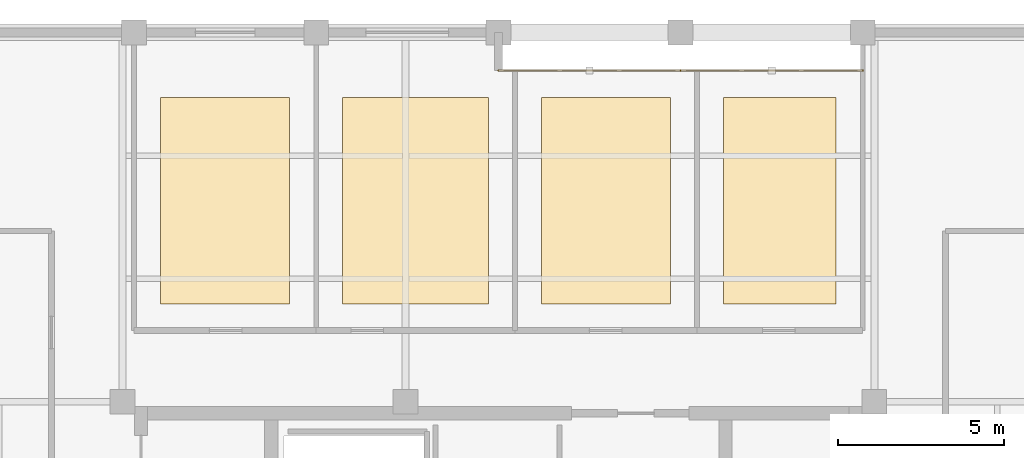
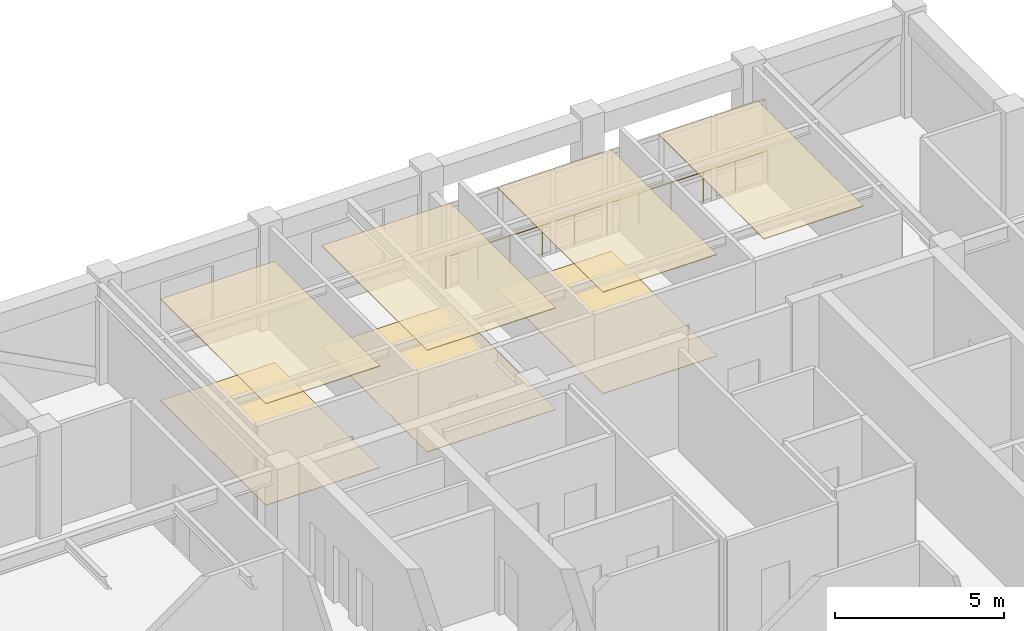
# One storey, part 9 of 9: 7 coverings, 2 railings.
"""IFC4 building model written with IfcOpenShell, lengths in metres."""

import ifcopenshell
import ifcopenshell.guid

model = None  # the IFC model being written
_history = None  # IfcOwnerHistory: only IFC2X3 demands one
_inside = {}  # id of a spatial element -> (the spatial element, [elements in it])
_under = {}  # id of a project, library or spatial element -> (it, [spatial elements below it])
_declared = {}  # id of a project -> (the project, [libraries it declares])
_typed = {}  # id of a type object -> (the type object, [elements of that type])
_made_of = {}  # id of a material, layer set ... -> (it, [elements and type objects made of it])


def new_model(schema):
    """Start an empty IFC model of exactly this schema.

    Asked for "IFC4X3", IfcOpenShell would pick the latest addendum, in which some entities
    have other attributes; the version numbers below select the first issue.
    IFC2X3 requires an IfcOwnerHistory on every rooted entity: one is made here for all.
    """
    global model, _history
    if schema == "IFC4X3":
        model = ifcopenshell.file(schema_version=(4, 3, 0, 0))
    else:
        model = ifcopenshell.file(schema=schema)
    _inside.clear()
    _under.clear()
    _declared.clear()
    _typed.clear()
    _made_of.clear()
    _history = None
    if model.schema == "IFC2X3":
        org = make("IfcOrganization", Name="unknown")
        user = make(
            "IfcPersonAndOrganization",
            ThePerson=make("IfcPerson", FamilyName="unknown"),
            TheOrganization=org,
        )
        app = make(
            "IfcApplication",
            ApplicationDeveloper=org,
            Version="unknown",
            ApplicationFullName="unknown",
            ApplicationIdentifier="unknown",
        )
        _history = make(
            "IfcOwnerHistory",
            OwningUser=user,
            OwningApplication=app,
            ChangeAction="ADDED",
            CreationDate=0,
        )
    return model


def make(cls, **values):
    """One entity of the class cls with the attributes given. An attribute that is None is left unset."""
    return model.create_entity(
        cls, **{name: value for name, value in values.items() if value is not None}
    )


def rooted(cls, **values):
    """An entity with a GlobalId (a new one), such as an element, a storey or a relation."""
    return make(cls, GlobalId=ifcopenshell.guid.new(), OwnerHistory=_history, **values)


def si_unit(unit_type, name, prefix=None):
    """IfcSIUnit, for example si_unit("LENGTHUNIT", "METRE", prefix="MILLI")."""
    return make("IfcSIUnit", UnitType=unit_type, Prefix=prefix, Name=name)


def assignment(units):
    """IfcUnitAssignment: the units of a project."""
    return None if units is None else make("IfcUnitAssignment", Units=units)


def point(xyz):
    """IfcCartesianPoint."""
    return None if xyz is None else make("IfcCartesianPoint", Coordinates=xyz)


def direction(xyz):
    """IfcDirection."""
    return None if xyz is None else make("IfcDirection", DirectionRatios=xyz)


def frame(location, z_axis=None, x_axis=None):
    """IfcAxis2Placement3D, a coordinate frame: its origin and axes. An axis left out is left unset."""
    return make(
        "IfcAxis2Placement3D",
        Location=point(location),
        Axis=direction(z_axis),
        RefDirection=direction(x_axis),
    )


def frame_2d(location, x_axis=None):
    """IfcAxis2Placement2D, a coordinate frame in the plane: its origin and x axis."""
    return make(
        "IfcAxis2Placement2D", Location=point(location), RefDirection=direction(x_axis)
    )


def origin():
    """The frame at (0, 0, 0) with its axes left unset."""
    return frame((0.0, 0.0, 0.0))


def origin_2d():
    """The frame at (0, 0) in the plane with its x axis left unset."""
    return frame_2d((0.0, 0.0))


def place(relative_to, where):
    """IfcLocalPlacement: puts the frame where relative to a parent placement (None: the world)."""
    return make(
        "IfcLocalPlacement", PlacementRelTo=relative_to, RelativePlacement=where
    )


def context(
    kind, dimensions, precision=None, world=None, true_north=None, identifier=None
):
    """IfcGeometricRepresentationContext, for example the 3D "Model" context."""
    return make(
        "IfcGeometricRepresentationContext",
        ContextIdentifier=identifier,
        ContextType=kind,
        CoordinateSpaceDimension=dimensions,
        Precision=precision,
        WorldCoordinateSystem=world,
        TrueNorth=true_north,
    )


def subcontext(parent, identifier, kind, view, scale=None):
    """IfcGeometricRepresentationSubContext, for example "Body" below "Model"."""
    return make(
        "IfcGeometricRepresentationSubContext",
        ContextIdentifier=identifier,
        ContextType=kind,
        ParentContext=parent,
        TargetScale=scale,
        TargetView=view,
    )


def project(units=None, contexts=None):
    """IfcProject with its units and contexts."""
    return rooted(
        "IfcProject",
        Name="project",
        RepresentationContexts=contexts,
        UnitsInContext=assignment(units),
    )


def spatial(cls, under=None, at=None, **own):
    """A site, building, storey or space (cls), placed at a placement, below another one or the project."""
    s = rooted(cls, ObjectPlacement=at, **own)
    if under is not None:
        _under.setdefault(under.id(), (under, []))[1].append(s)
    return s


def polyline(points):
    """IfcPolyline through the points."""
    return make("IfcPolyline", Points=[point(p) for p in points])


def profile(cls, at=None, kind="AREA", **sizes):
    """A parametric profile (cls). Its sizes go by their IFC names, for example OverallWidth=200.0."""
    return make(cls, ProfileType=kind, Position=at, **sizes)


def circle(**sizes):
    """IfcCircleProfileDef."""
    return profile("IfcCircleProfileDef", **sizes)


def outline(outer, holes=None, kind="AREA"):
    """IfcArbitraryClosedProfileDef: a profile drawn as a closed curve; with holes, ...WithVoids."""
    if holes is None:
        return make("IfcArbitraryClosedProfileDef", ProfileType=kind, OuterCurve=outer)
    return make(
        "IfcArbitraryProfileDefWithVoids",
        ProfileType=kind,
        OuterCurve=outer,
        InnerCurves=holes,
    )


def extrude(swept, where, along, depth):
    """IfcExtrudedAreaSolid: the profile swept, set in the frame where, extruded along a direction by depth."""
    return make(
        "IfcExtrudedAreaSolid",
        SweptArea=swept,
        Position=where,
        ExtrudedDirection=direction(along),
        Depth=depth,
    )


def shape(context_of_items, identifier, shape_type, items):
    """IfcShapeRepresentation: the items that make up one representation, for example the "Body"."""
    return make(
        "IfcShapeRepresentation",
        ContextOfItems=context_of_items,
        RepresentationIdentifier=identifier,
        RepresentationType=shape_type,
        Items=items,
    )


def material(Name=None, Category=None):
    """IfcMaterial."""
    return make("IfcMaterial", Name=Name, Category=Category)


def layer(
    of_material, thickness, ventilated=None, Name=None, Category=None, Priority=None
):
    """IfcMaterialLayer: one layer of a wall or slab, of a material (None: an air gap)."""
    return make(
        "IfcMaterialLayer",
        Material=of_material,
        LayerThickness=thickness,
        IsVentilated=ventilated,
        Name=Name,
        Category=Category,
        Priority=Priority,
    )


def layer_set(layers, Name=None):
    """IfcMaterialLayerSet."""
    return make("IfcMaterialLayerSet", MaterialLayers=layers, LayerSetName=Name)


def made_of(thing, what):
    """Note that an element or type object is made of a material, layer set ...; save() writes the relation."""
    if what is not None:
        _made_of.setdefault(what.id(), (what, []))[1].append(thing)
    return thing


def type_object(cls, material=None, **own):
    """A type object (cls), such as IfcWallType, which elements share."""
    return made_of(rooted(cls, **own), material)


def element(
    cls,
    number,
    at=None,
    inside=None,
    cuts=None,
    type_object=None,
    material=None,
    context=None,
    identifier="Body",
    shape_type=None,
    held_by="IfcProductDefinitionShape",
    body=None,
    shapes=None,
    **own,
):
    """One element of the class cls, such as IfcWall. Its Tag is "e" and its number.

    at: its placement. inside: the storey or other place that contains it. cuts: it is an
    opening in that element (IfcRelVoidsElement). A single representation is given by context,
    identifier, shape_type and body (its items); several are given by shapes. held_by: the class
    of the entity that holds the representations. save() writes the other relations.
    """
    e = rooted(cls, Tag="e%d" % number, ObjectPlacement=at, **own)
    if body is not None:
        shapes = [shape(context, identifier, shape_type, body)]
    if shapes is not None:
        e.Representation = make(held_by, Representations=shapes)
    if inside is not None:
        _inside.setdefault(inside.id(), (inside, []))[1].append(e)
    if cuts is not None:
        rooted(
            "IfcRelVoidsElement", RelatingBuildingElement=cuts, RelatedOpeningElement=e
        )
    if type_object is not None:
        _typed.setdefault(type_object.id(), (type_object, []))[1].append(e)
    return made_of(e, material)


def aggregate(whole, parts):
    """IfcRelAggregates: a whole, such as a stair, and the parts it consists of."""
    return rooted("IfcRelAggregates", RelatingObject=whole, RelatedObjects=parts)


def save(model, path):
    """Write the relations noted so far, then the file.

    IfcRelAggregates (storeys below a building ...), IfcRelContainedInSpatialStructure (elements
    in a storey), IfcRelDefinesByType, IfcRelAssociatesMaterial and IfcRelDeclares: one each for
    every whole, place, type object, material and project.
    """
    for whole, parts in _under.values():
        aggregate(whole, parts)
    for where, things in _inside.values():
        rooted(
            "IfcRelContainedInSpatialStructure",
            RelatedElements=things,
            RelatingStructure=where,
        )
    for kind, things in _typed.values():
        rooted("IfcRelDefinesByType", RelatedObjects=things, RelatingType=kind)
    for what, things in _made_of.values():
        rooted("IfcRelAssociatesMaterial", RelatedObjects=things, RelatingMaterial=what)
    for by, libraries in _declared.values():
        rooted("IfcRelDeclares", RelatingContext=by, RelatedDefinitions=libraries)
    model.write(path)


model = new_model("IFC4")

# Units and contexts
model_context = context("Model", 3, precision=1e-05, world=origin(), true_north=direction((0.0, 1.0)))
body_context = subcontext(model_context, "Body", "Model", "MODEL_VIEW")
ifc_project = project(units=[si_unit("LENGTHUNIT", "METRE"), si_unit("AREAUNIT", "SQUARE_METRE"), si_unit("VOLUMEUNIT", "CUBIC_METRE"), si_unit("PLANEANGLEUNIT", "RADIAN"), si_unit("MASSUNIT", "GRAM", prefix="KILO")], contexts=[model_context])

# Site, building, storey
site_placement = place(None, origin())
site = spatial("IfcSite", under=ifc_project, at=site_placement, CompositionType="ELEMENT")
building_placement = place(site_placement, origin())
building = spatial("IfcBuilding", under=site, at=building_placement, Name="Nhamokura Convention Tower", CompositionType="ELEMENT")
storey_placement = place(building_placement, frame((0.0, 0.0, 273.699951171875)))
storey = spatial("IfcBuildingStorey", under=building, at=storey_placement, Name="L67", CompositionType="ELEMENT", Elevation=273.699951171875)

# Coverings
ifc_material_1 = material(Name="Mineral-fibre acoustic ceiling tile", Category="gypsum")
ifc_layer_1 = layer(ifc_material_1, 0.02490234375)
ifc_layer_set_1 = layer_set([ifc_layer_1], Name="AcousticTileCeiling_25")
covering_type_1 = type_object("IfcCoveringType", Name="AcousticTileCeiling_25", PredefinedType="CEILING", material=ifc_layer_set_1)
covering_1_placement = place(storey_placement, frame((0.0, 0.0, 3.66015625)))
element("IfcCovering", 1, at=covering_1_placement, inside=storey, type_object=covering_type_1, Name="L67 Suspended Ceiling 02", PredefinedType="CEILING", context=body_context, shape_type="SweptSolid", body=[
    extrude(outline(polyline([(21.800048828125, 46.300048828125), (25.699951171875, 46.300048828125), (25.699951171875, 52.5400390625), (21.800048828125, 52.5400390625), (21.800048828125, 46.300048828125)])), origin(), (0.0, 0.0, 1.0), 0.02490234375),
])
covering_2_placement = place(storey_placement, frame((0.0, 0.0, 3.66015625)))
element("IfcCovering", 2, at=covering_2_placement, inside=storey, type_object=covering_type_1, Name="L67 Suspended Ceiling 03", PredefinedType="CEILING", context=body_context, shape_type="SweptSolid", body=[
    extrude(outline(polyline([(27.300048828125, 46.300048828125), (31.699951171875, 46.300048828125), (31.699951171875, 52.5400390625), (27.300048828125, 52.5400390625), (27.300048828125, 46.300048828125)])), origin(), (0.0, 0.0, 1.0), 0.02490234375),
])
covering_3_placement = place(storey_placement, frame((0.0, 0.0, 3.66015625)))
element("IfcCovering", 3, at=covering_3_placement, inside=storey, type_object=covering_type_1, Name="L67 Suspended Ceiling 04", PredefinedType="CEILING", context=body_context, shape_type="SweptSolid", body=[
    extrude(outline(polyline([(33.300048828125, 46.300048828125), (37.199951171875, 46.300048828125), (37.199951171875, 52.5400390625), (33.300048828125, 52.5400390625), (33.300048828125, 46.300048828125)])), origin(), (0.0, 0.0, 1.0), 0.02490234375),
])
covering_4_placement = place(storey_placement, frame((0.0, 0.0, 3.66015625)))
element("IfcCovering", 4, at=covering_4_placement, inside=storey, type_object=covering_type_1, Name="L67 Suspended Ceiling 05", PredefinedType="CEILING", context=body_context, shape_type="SweptSolid", body=[
    extrude(outline(polyline([(38.800048828125, 46.300048828125), (42.199951171875, 46.300048828125), (42.199951171875, 52.5400390625), (38.800048828125, 52.5400390625), (38.800048828125, 46.300048828125)])), origin(), (0.0, 0.0, 1.0), 0.02490234375),
])

# Railings
ifc_material_2 = material(Name="Anodised bronze stainless steel", Category="steel")
railing_type = type_object("IfcRailingType", Name="TerraceGuardrail_1150", PredefinedType="GUARDRAIL", material=ifc_material_2)
for number, where, name in (
    (5, (32.0, 53.35009765625, 0.0), "L67 Scale-Slot Edge Guardrail NORTH 3"),
    (6, (37.5, 53.35009765625, 0.0), "L67 Scale-Slot Edge Guardrail NORTH 4"),
):
    element("IfcRailing", number, at=place(storey_placement, frame(where)), inside=storey, type_object=railing_type, Name=name, PredefinedType="GUARDRAIL", context=body_context, shape_type="SweptSolid", body=[
        extrude(circle(Radius=0.02392578125, at=origin_2d()), frame((0.0, 0.0, 1.1259765625), z_axis=(1.0, 0.0, 0.0), x_axis=(0.0, 1.0, 0.0)), (0.0, 0.0, 1.0), 5.5),
        extrude(circle(Radius=0.02099609375, at=origin_2d()), origin(), (0.0, 0.0, 1.0), 1.101806640625),
        extrude(circle(Radius=0.02099609375, at=origin_2d()), frame((1.10009765625, 0.0, 0.0)), (0.0, 0.0, 1.0), 1.101806640625),
        extrude(circle(Radius=0.02099609375, at=origin_2d()), frame((2.199951171875, 0.0, 0.0)), (0.0, 0.0, 1.0), 1.101806640625),
        extrude(circle(Radius=0.02099609375, at=origin_2d()), frame((3.300048828125, 0.0, 0.0)), (0.0, 0.0, 1.0), 1.101806640625),
        extrude(circle(Radius=0.02099609375, at=origin_2d()), frame((4.39990234375, 0.0, 0.0)), (0.0, 0.0, 1.0), 1.101806640625),
        extrude(circle(Radius=0.02099609375, at=origin_2d()), frame((5.5, 0.0, 0.0)), (0.0, 0.0, 1.0), 1.101806640625),
    ])

# Coverings
ifc_material_3 = material(Name="Acoustic woven hospitality carpet", Category="wood")
ifc_layer_2 = layer(ifc_material_3, 0.014892578125)
ifc_layer_set_2 = layer_set([ifc_layer_2], Name="WovenCarpetFlooring_15")
covering_type_2 = type_object("IfcCoveringType", Name="WovenCarpetFlooring_15", PredefinedType="FLOORING", material=ifc_layer_set_2)
covering_5_placement = place(storey_placement, origin())
element("IfcCovering", 7, at=covering_5_placement, inside=storey, type_object=covering_type_2, Name="L67 Finish Flooring 02", PredefinedType="FLOORING", context=body_context, shape_type="SweptSolid", body=[
    extrude(outline(polyline([(21.800048828125, 46.300048828125), (25.699951171875, 46.300048828125), (25.699951171875, 52.5400390625), (21.800048828125, 52.5400390625), (21.800048828125, 46.300048828125)])), origin(), (0.0, 0.0, 1.0), 0.01513671875),
])
covering_6_placement = place(storey_placement, origin())
element("IfcCovering", 8, at=covering_6_placement, inside=storey, type_object=covering_type_2, Name="L67 Finish Flooring 03", PredefinedType="FLOORING", context=body_context, shape_type="SweptSolid", body=[
    extrude(outline(polyline([(27.300048828125, 46.300048828125), (31.699951171875, 46.300048828125), (31.699951171875, 52.5400390625), (27.300048828125, 52.5400390625), (27.300048828125, 46.300048828125)])), origin(), (0.0, 0.0, 1.0), 0.01513671875),
])
covering_7_placement = place(storey_placement, origin())
element("IfcCovering", 9, at=covering_7_placement, inside=storey, type_object=covering_type_2, Name="L67 Finish Flooring 04", PredefinedType="FLOORING", context=body_context, shape_type="SweptSolid", body=[
    extrude(outline(polyline([(33.300048828125, 46.300048828125), (37.199951171875, 46.300048828125), (37.199951171875, 52.5400390625), (33.300048828125, 52.5400390625), (33.300048828125, 46.300048828125)])), origin(), (0.0, 0.0, 1.0), 0.01513671875),
])

save(model, "model.ifc")
